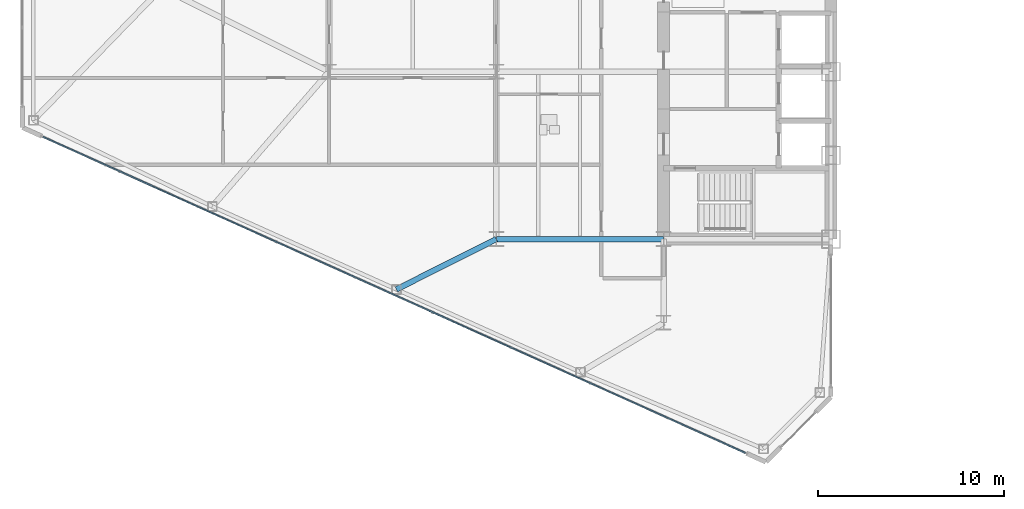
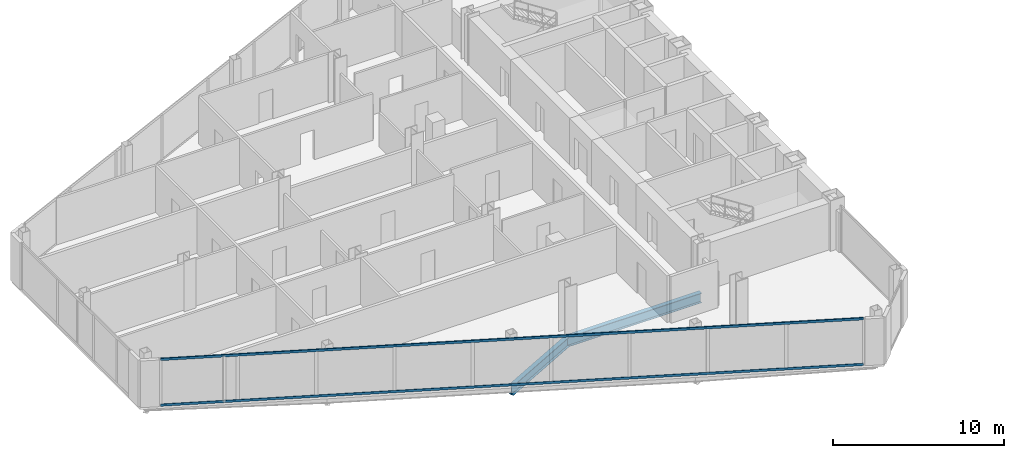
# One storey, part 4 of 27: 2 beams, 2 members, 1 element without a shape of its own.
"""IFC4 building model written with IfcOpenShell, lengths in metres."""

from ifc_helpers import new_model, si_unit, direction, frame, origin, origin_2d, place, context, subcontext, project, spatial, rectangle, i_section, extrude, source, transform, mapped, material, layer, layer_set, material_profile, profile_set, type_object, type_shapes, element, aggregate, save


model = new_model("IFC4")

# Units and contexts
model_context = context("Model", 3, precision=1e-05, world=origin(), true_north=direction((0.0, 1.0)))
body_context = subcontext(model_context, "Body", "Model", "MODEL_VIEW")
ifc_project = project(units=[si_unit("LENGTHUNIT", "METRE"), si_unit("AREAUNIT", "SQUARE_METRE"), si_unit("VOLUMEUNIT", "CUBIC_METRE"), si_unit("PLANEANGLEUNIT", "RADIAN"), si_unit("MASSUNIT", "GRAM", prefix="KILO")], contexts=[model_context])

# Site, building, storey
site_placement = place(None, origin())
site = spatial("IfcSite", under=ifc_project, at=site_placement, CompositionType="ELEMENT")
building_placement = place(site_placement, origin())
building = spatial("IfcBuilding", under=site, at=building_placement, Name="Seokmaru Belvedere", CompositionType="ELEMENT")
storey_placement = place(building_placement, frame((0.0, 0.0, 83.699951171875)))
storey = spatial("IfcBuildingStorey", under=building, at=storey_placement, Name="L22", CompositionType="ELEMENT", Elevation=83.699951171875)

# Beams
ifc_material_1 = material(Name="Steel SM355 (355 MPa)", Category="steel")
ifc_material_profile_1 = material_profile(ifc_material_1, i_section(OverallWidth=0.300048828125, OverallDepth=0.699951171875, WebThickness=0.012939453125, FlangeThickness=0.02392578125, at=origin_2d()), Name="H-700x300x13x24")
ifc_profile_set_1 = profile_set([ifc_material_profile_1], Name="Steel SM355 (355 MPa)")
beam_type = type_object("IfcBeamType", Name="Primary Floor Girder H-700", PredefinedType="BEAM", material=ifc_profile_set_1)
shared_shape_1 = source(origin(), body_context, "Body", "SweptSolid", [
    extrude(i_section(OverallWidth=0.300048828125, OverallDepth=0.699951171875, WebThickness=0.012939453125, FlangeThickness=0.02392578125, at=origin_2d()), origin(), (0.0, 0.0, 1.0), 9.0),
])
beam_1_placement = place(storey_placement, frame((-45.5, -13.5, -0.570068359375), z_axis=(1.0, 0.0, 0.0), x_axis=(0.0, 1.0, 0.0)))
element("IfcBeam", 1, at=beam_1_placement, inside=storey, type_object=beam_type, Name="L22 W Wing Primary Girder 1", PredefinedType="BEAM", context=body_context, shape_type="MappedRepresentation", body=[
    mapped(shared_shape_1, transform((0.0, 0.0, 0.0), scale=1.0)),
])
shared_shape_2 = source(origin(), body_context, "Body", "SweptSolid", [
    extrude(i_section(OverallWidth=0.300048828125, OverallDepth=0.699951171875, WebThickness=0.012939453125, FlangeThickness=0.02392578125, at=origin_2d()), origin(), (0.0, 0.0, 1.0), 6.017333984375),
])
type_shapes(beam_type, [shared_shape_1, shared_shape_2])
beam_2_placement = place(storey_placement, frame((-50.875, -16.205322265625, -0.570068359375), z_axis=(0.893239341975, 0.449581447512, 0.0), x_axis=(-0.449581447512, 0.893239341975, 0.0)))
element("IfcBeam", 2, at=beam_2_placement, inside=storey, type_object=beam_type, Name="L22 W Flank Radial Floor Girder S-2", PredefinedType="BEAM", context=body_context, shape_type="MappedRepresentation", body=[
    mapped(shared_shape_2, transform((0.0, 0.0, 0.0), scale=1.0)),
])

# Curtain wall, members
ifc_material_2 = material(Name="Bronze Triple Insulating Glass", Category="glass")
ifc_layer = layer(ifc_material_2, 0.195068359375)
ifc_layer_set = layer_set([ifc_layer], Name="Bronze Triple Insulating Glass")
curtain_wall_type = type_object("IfcCurtainWallType", Name="Lower-Mid Tapered Curtain Wall System CW-3", PredefinedType="NOTDEFINED", material=ifc_layer_set)
curtain_wall_placement = place(storey_placement, origin())
curtain_wall = element("IfcCurtainWall", 3, at=curtain_wall_placement, inside=storey, type_object=curtain_wall_type, Name="L22 Curtain Wall WF5", PredefinedType="NOTDEFINED")
ifc_material_3 = material(Name="Anodised Bronze Aluminium", Category="aluminium")
ifc_material_profile_2 = material_profile(ifc_material_3, rectangle(XDim=0.070068359375, YDim=0.1650390625, at=origin_2d()), Name="CW-T-70x165")
ifc_profile_set_2 = profile_set([ifc_material_profile_2], Name="Anodised Bronze Aluminium")
member_type = type_object("IfcMemberType", Name="Bronze Unitised Transom 70x165", PredefinedType="USERDEFINED", material=ifc_profile_set_2)
shared_shape_3 = source(origin(), body_context, "Body", "SweptSolid", [
    extrude(rectangle(XDim=0.070068359375, YDim=0.1650390625, at=origin_2d()), origin(), (0.0, 0.0, 1.0), 41.423583984375),
])
type_shapes(member_type, [shared_shape_3])
member_1_placement = place(storey_placement, frame((-69.887451171875, -8.00048828125, 0.03515625), z_axis=(0.911918637916, -0.410371048956, 0.0), x_axis=(0.410371048956, 0.911918637916, 0.0)))
member_1 = element("IfcMember", 4, at=member_1_placement, type_object=member_type, Name="CW:L22:WF5 Continuous Transom 1", ObjectType="TRANSOM", PredefinedType="USERDEFINED", context=body_context, shape_type="MappedRepresentation", body=[
    mapped(shared_shape_3, transform((0.0, 0.0, 0.0), scale=1.0)),
])
member_2_placement = place(storey_placement, frame((-69.887451171875, -8.00048828125, 3.304931640625), z_axis=(0.911918637916, -0.410371048956, 0.0), x_axis=(0.410371048956, 0.911918637916, 0.0)))
member_2 = element("IfcMember", 5, at=member_2_placement, type_object=member_type, Name="CW:L22:WF5 Continuous Transom 2", ObjectType="TRANSOM", PredefinedType="USERDEFINED", context=body_context, shape_type="MappedRepresentation", body=[
    mapped(shared_shape_3, transform((0.0, 0.0, 0.0), scale=1.0)),
])
aggregate(curtain_wall, [member_1, member_2])

save(model, "model.ifc")
